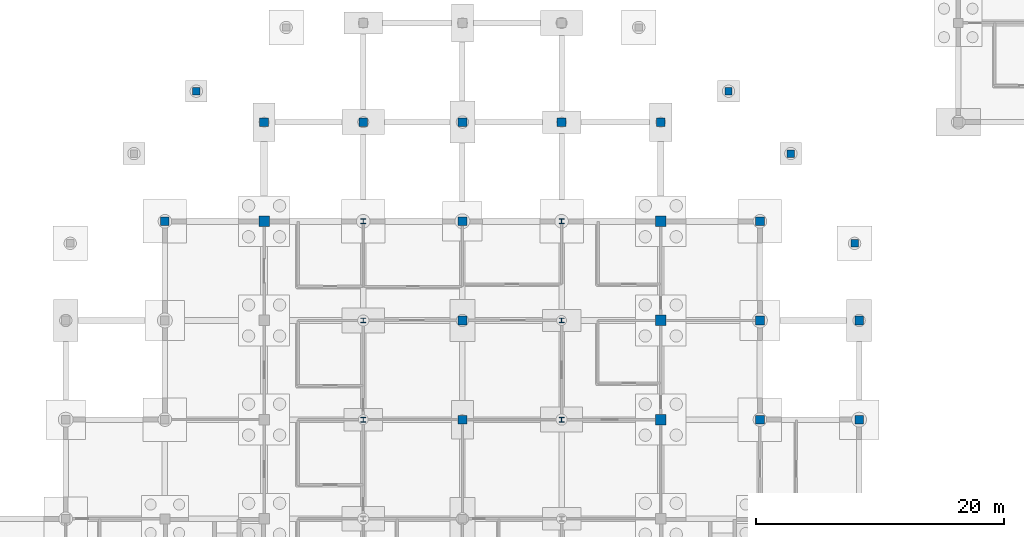
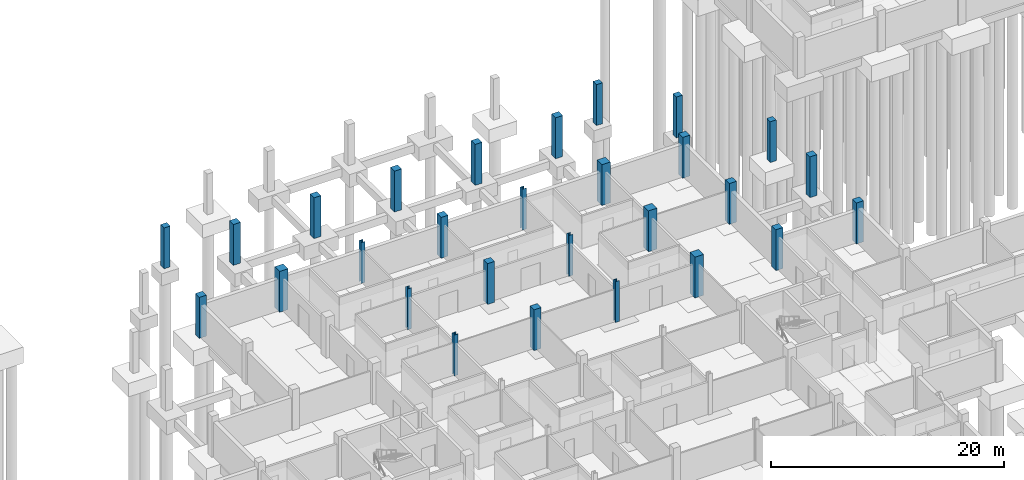
# One storey, part 20 of 48: 28 columns.
"""IFC4 building model written with IfcOpenShell, lengths in metres."""

from ifc_helpers import new_model, si_unit, derived_unit, direction, frame, origin, origin_2d, place, context, subcontext, project, spatial, rectangle, i_section, extrude, material, material_profile, profile_set, type_object, element, save


model = new_model("IFC4")

# Units and contexts
model_context = context("Model", 3, precision=1e-05, world=origin(), true_north=direction((0.0, 1.0)))
body_context = subcontext(model_context, "Body", "Model", "MODEL_VIEW")
ifc_project = project(units=[si_unit("LENGTHUNIT", "METRE"), si_unit("AREAUNIT", "SQUARE_METRE"), si_unit("VOLUMEUNIT", "CUBIC_METRE"), si_unit("PLANEANGLEUNIT", "RADIAN"), si_unit("MASSUNIT", "GRAM", prefix="KILO"), derived_unit("THERMALTRANSMITTANCEUNIT", [(si_unit("MASSUNIT", "GRAM", prefix="KILO"), 1), (si_unit("TIMEUNIT", "SECOND"), -3), (si_unit("THERMODYNAMICTEMPERATUREUNIT", "KELVIN"), -1)])], contexts=[model_context])

# Site, building, storey
site_placement = place(None, origin())
site = spatial("IfcSite", under=ifc_project, at=site_placement, CompositionType="ELEMENT")
building_placement = place(site_placement, origin())
building = spatial("IfcBuilding", under=site, at=building_placement, Name="Veyamyaing Civic Hall", CompositionType="ELEMENT")
storey_placement = place(building_placement, frame((0.0, 0.0, -4.2900390625)))
storey = spatial("IfcBuildingStorey", under=building, at=storey_placement, Name="B1", CompositionType="ELEMENT", Elevation=-4.2900390625)

# Columns
ifc_material_1 = material(Name="Concrete C45/55", Category="concrete")
ifc_material_profile_1 = material_profile(ifc_material_1, rectangle(XDim=0.85009765625, YDim=0.85009765625, at=origin_2d()), Name="RC-COL-850X850")
ifc_profile_set_1 = profile_set([ifc_material_profile_1], Name="Concrete C45/55")
column_type_1 = type_object("IfcColumnType", Name="C-01", PredefinedType="COLUMN", material=ifc_profile_set_1)
for number, where, z_axis, x_axis, name in (
    (1, (72.0, 80.0, 0.0), (0.0, 0.0, 1.0), (1.0, 0.0, 0.0), "Column C-01 10-L B1"),
    (2, (104.0, 64.0, 0.0), (0.0, 0.0, 1.0), (1.0, 0.0, 0.0), "Column C-01 14-J B1"),
    (3, (104.0, 72.0, 0.0), (0.0, 0.0, 1.0), (1.0, 0.0, 0.0), "Column C-01 14-K B1"),
    (4, (104.0, 80.0, 0.0), (0.0, 0.0, 1.0), (1.0, 0.0, 0.0), "Column C-01 14-L B1"),
):
    element("IfcColumn", number, at=place(storey_placement, frame(where, z_axis=z_axis, x_axis=x_axis)), inside=storey, type_object=column_type_1, Name=name, PredefinedType="COLUMN", context=body_context, shape_type="SweptSolid", body=[
        extrude(rectangle(XDim=0.85009765625, YDim=0.85009765625, at=origin_2d()), origin(), (0.0, 0.0, 1.0), 4.2900390625),
    ])
ifc_material_profile_2 = material_profile(ifc_material_1, rectangle(XDim=0.699951171875, YDim=0.699951171875, at=origin_2d()), Name="RC-COL-700X700")
ifc_profile_set_2 = profile_set([ifc_material_profile_2], Name="Concrete C45/55")
column_type_2 = type_object("IfcColumnType", Name="C-04", PredefinedType="COLUMN", material=ifc_profile_set_2)
for number, where, z_axis, x_axis, name in (
    (5, (64.0, 80.0, 0.0), (0.0, 0.0, 1.0), (1.0, 0.0, 0.0), "Column C-04 9-L B1"),
    (6, (72.0, 88.0, 0.0), (0.0, 0.0, 1.0), (1.0, 0.0, 0.0), "Column C-04 10-M B1"),
    (7, (80.0, 88.0, 0.0), (0.0, 0.0, 1.0), (1.0, 0.0, 0.0), "Column C-04 11-M B1"),
    (8, (88.0, 64.0, 0.0), (0.0, 0.0, 1.0), (1.0, 0.0, 0.0), "Column C-04 12-J B1"),
    (9, (88.0, 72.0, 0.0), (0.0, 0.0, 1.0), (1.0, 0.0, 0.0), "Column C-04 12-K B1"),
    (10, (88.0, 80.0, 0.0), (0.0, 0.0, 1.0), (1.0, 0.0, 0.0), "Column C-04 12-L B1"),
    (11, (88.0, 88.0, 0.0), (0.0, 0.0, 1.0), (1.0, 0.0, 0.0), "Column C-04 12-M B1"),
    (12, (96.0, 88.0, 0.0), (0.0, 0.0, 1.0), (1.0, 0.0, 0.0), "Column C-04 13-M B1"),
    (13, (104.0, 88.0, 0.0), (0.0, 0.0, 1.0), (1.0, 0.0, 0.0), "Column C-04 14-M B1"),
    (14, (112.0, 64.0, 0.0), (0.0, 0.0, 1.0), (1.0, 0.0, 0.0), "Column C-04 15-J B1"),
    (15, (112.0, 72.0, 0.0), (0.0, 0.0, 1.0), (1.0, 0.0, 0.0), "Column C-04 15-K B1"),
    (16, (112.0, 80.0, 0.0), (0.0, 0.0, 1.0), (1.0, 0.0, 0.0), "Column C-04 15-L B1"),
    (17, (120.0, 64.0, 0.0), (0.0, 0.0, 1.0), (1.0, 0.0, 0.0), "Column C-04 16-J B1"),
    (18, (120.0, 72.0, 0.0), (0.0, 0.0, 1.0), (1.0, 0.0, 0.0), "Column C-04 16-K B1"),
):
    element("IfcColumn", number, at=place(storey_placement, frame(where, z_axis=z_axis, x_axis=x_axis)), inside=storey, type_object=column_type_2, Name=name, PredefinedType="COLUMN", context=body_context, shape_type="SweptSolid", body=[
        extrude(rectangle(XDim=0.699951171875, YDim=0.699951171875, at=origin_2d()), origin(), (0.0, 0.0, 1.0), 4.2900390625),
    ])
ifc_material_profile_3 = material_profile(ifc_material_1, rectangle(XDim=0.60009765625, YDim=0.60009765625, at=origin_2d()), Name="RC-COL-600X600")
ifc_profile_set_3 = profile_set([ifc_material_profile_3], Name="Concrete C45/55")
column_type_3 = type_object("IfcColumnType", Name="C-06", PredefinedType="COLUMN", material=ifc_profile_set_3)
for number, where, z_axis, x_axis, name in (
    (19, (119.63623046875, 78.220703125, 0.0), (0.0, 0.0, 1.0), (1.0, 0.0, 0.0), "Curved corner column C-06 ARC-NE-00 B1"),
    (20, (114.4951171875, 85.466552734375, 0.0), (0.0, 0.0, 1.0), (1.0, 0.0, 0.0), "Curved corner column C-06 ARC-NE-05 B1"),
    (21, (109.466552734375, 90.4951171875, 0.0), (0.0, 0.0, 1.0), (1.0, 0.0, 0.0), "Curved corner column C-06 ARC-NE-09 B1"),
    (22, (66.533447265625, 90.4951171875, 0.0), (0.0, 0.0, 1.0), (1.0, 0.0, 0.0), "Curved corner column C-06 ARC-NW-05 B1"),
):
    element("IfcColumn", number, at=place(storey_placement, frame(where, z_axis=z_axis, x_axis=x_axis)), inside=storey, type_object=column_type_3, Name=name, PredefinedType="COLUMN", context=body_context, shape_type="SweptSolid", body=[
        extrude(rectangle(XDim=0.60009765625, YDim=0.60009765625, at=origin_2d()), origin(), (0.0, 0.0, 1.0), 4.2900390625),
    ])
ifc_material_2 = material(Name="Steel S355J2", Category="steel")
ifc_material_profile_4 = material_profile(ifc_material_2, i_section(OverallWidth=0.39794921875, OverallDepth=0.386962890625, WebThickness=0.02099609375, FlangeThickness=0.033203125, FilletRadius=0.014892578125, at=origin_2d()), Name="W360X262")
ifc_profile_set_4 = profile_set([ifc_material_profile_4], Name="Steel S355J2")
column_type_4 = type_object("IfcColumnType", Name="C-08", PredefinedType="COLUMN", material=ifc_profile_set_4)
for number, where, z_axis, x_axis, name in (
    (23, (80.0, 64.0, 0.0), (0.0, 0.0, 1.0), (1.0, 0.0, 0.0), "Column C-08 11-J B1"),
    (24, (80.0, 72.0, 0.0), (0.0, 0.0, 1.0), (1.0, 0.0, 0.0), "Column C-08 11-K B1"),
    (25, (80.0, 80.0, 0.0), (0.0, 0.0, 1.0), (1.0, 0.0, 0.0), "Column C-08 11-L B1"),
    (26, (96.0, 64.0, 0.0), (0.0, 0.0, 1.0), (1.0, 0.0, 0.0), "Column C-08 13-J B1"),
    (27, (96.0, 72.0, 0.0), (0.0, 0.0, 1.0), (1.0, 0.0, 0.0), "Column C-08 13-K B1"),
    (28, (96.0, 80.0, 0.0), (0.0, 0.0, 1.0), (1.0, 0.0, 0.0), "Column C-08 13-L B1"),
):
    element("IfcColumn", number, at=place(storey_placement, frame(where, z_axis=z_axis, x_axis=x_axis)), inside=storey, type_object=column_type_4, Name=name, PredefinedType="COLUMN", context=body_context, shape_type="SweptSolid", body=[
        extrude(i_section(OverallWidth=0.39794921875, OverallDepth=0.386962890625, WebThickness=0.02099609375, FlangeThickness=0.033203125, FilletRadius=0.014892578125, at=origin_2d()), origin(), (0.0, 0.0, 1.0), 4.2900390625),
    ])

save(model, "model.ifc")
